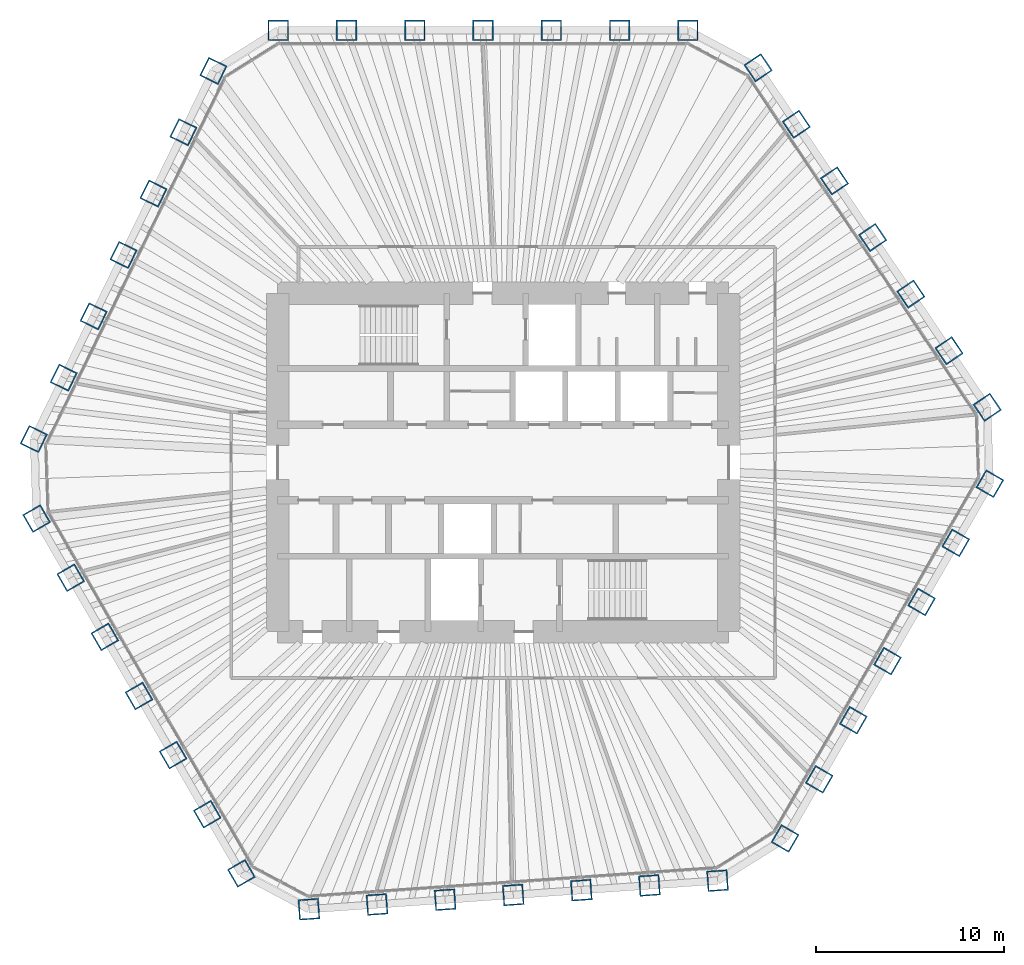
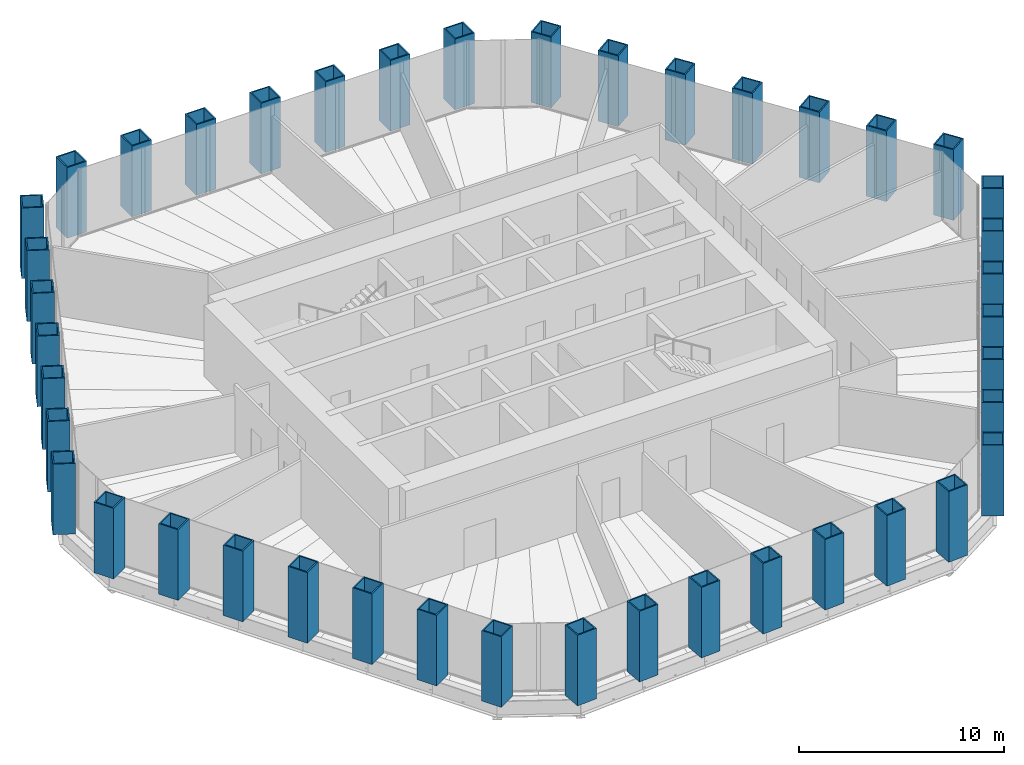
# One storey, part 1 of 13: 42 columns.
"""IFC4 building model written with IfcOpenShell, lengths in metres."""

from ifc_helpers import new_model, si_unit, direction, frame, origin, origin_2d, place, context, subcontext, project, spatial, hollow_rectangle, extrude, material, material_profile, profile_set, type_object, element, save


model = new_model("IFC4")

# Units and contexts
model_context = context("Model", 3, precision=1e-05, world=origin(), true_north=direction((0.0, 1.0)))
body_context = subcontext(model_context, "Body", "Model", "MODEL_VIEW")
ifc_project = project(units=[si_unit("LENGTHUNIT", "METRE"), si_unit("AREAUNIT", "SQUARE_METRE"), si_unit("VOLUMEUNIT", "CUBIC_METRE"), si_unit("PLANEANGLEUNIT", "RADIAN"), si_unit("MASSUNIT", "GRAM", prefix="KILO")], contexts=[model_context])

# Site, building, storey
site_placement = place(None, origin())
site = spatial("IfcSite", under=ifc_project, at=site_placement, CompositionType="ELEMENT")
building_placement = place(site_placement, origin())
building = spatial("IfcBuilding", under=site, at=building_placement, Name="Qingtian Harvest Tower", CompositionType="ELEMENT")
storey_placement = place(building_placement, frame((0.0, 0.0, 209.800048828125)))
storey = spatial("IfcBuildingStorey", under=building, at=storey_placement, Name="L45", CompositionType="ELEMENT", Elevation=209.800048828125)

# Columns
ifc_material = material(Name="Steel SM570MC", Category="steel")
ifc_material_profile = material_profile(ifc_material, hollow_rectangle(XDim=1.10009765625, YDim=1.10009765625, WallThickness=0.070068359375, at=origin_2d()), Name="BOX1100x1100x70")
ifc_profile_set = profile_set([ifc_material_profile], Name="Steel SM570MC")
column_type = type_object("IfcColumnType", Name="Tube column TC5 BOX1100x1100x70", PredefinedType="COLUMN", material=ifc_profile_set)
for number, where, z_axis, x_axis, name in (
    (1, (-11.971923828125, 23.0, 0.0), (0.0, 0.0, 1.0), (-1.0, 0.0, 0.0), "Tube column TC5 N0"),
    (2, (-8.33837890625, 23.0, 0.0), (0.0, 0.0, 1.0), (-1.0, 0.0, 0.0), "Tube column TC5 N1"),
    (3, (-4.704833984375, 23.0, 0.0), (0.0, 0.0, 1.0), (-1.0, 0.0, 0.0), "Tube column TC5 N2"),
    (4, (-1.0712890625, 23.0, 0.0), (0.0, 0.0, 1.0), (-1.0, 0.0, 0.0), "Tube column TC5 N3"),
    (5, (2.562255859375, 23.0, 0.0), (0.0, 0.0, 1.0), (-1.0, 0.0, 0.0), "Tube column TC5 N4"),
    (6, (6.19580078125, 23.0, 0.0), (0.0, 0.0, 1.0), (-1.0, 0.0, 0.0), "Tube column TC5 N5"),
    (7, (9.829345703125, 23.0, 0.0), (0.0, 0.0, 1.0), (-1.0, 0.0, 0.0), "Tube column TC5 N6"),
    (8, (13.5712890625, 21.01025390625, 0.0), (0.0, 0.0, 1.0), (-0.559192903471, 0.829037572555, 0.0), "Tube column TC5 NE0"),
    (9, (15.603271484375, 17.998046875, 0.0), (0.0, 0.0, 1.0), (-0.559192903471, 0.829037572555, 0.0), "Tube column TC5 NE1"),
    (10, (17.635009765625, 14.985595703125, 0.0), (0.0, 0.0, 1.0), (-0.559192903471, 0.829037572555, 0.0), "Tube column TC5 NE2"),
    (11, (19.6669921875, 11.97314453125, 0.0), (0.0, 0.0, 1.0), (-0.559192903471, 0.829037572555, 0.0), "Tube column TC5 NE3"),
    (12, (21.69873046875, 8.9609375, 0.0), (0.0, 0.0, 1.0), (-0.559192903471, 0.829037572555, 0.0), "Tube column TC5 NE4"),
    (13, (23.730712890625, 5.948486328125, 0.0), (0.0, 0.0, 1.0), (-0.559192903471, 0.829037572555, 0.0), "Tube column TC5 NE5"),
    (14, (25.762451171875, 2.936279296875, 0.0), (0.0, 0.0, 1.0), (-0.559192903471, 0.829037572555, 0.0), "Tube column TC5 NE6"),
    (15, (25.904541015625, -1.1318359375, 0.0), (0.0, 0.0, 1.0), (0.5, 0.866025403784, 0.0), "Tube column TC5 SE0"),
    (16, (24.087890625, -4.27880859375, 0.0), (0.0, 0.0, 1.0), (0.5, 0.866025403784, 0.0), "Tube column TC5 SE1"),
    (17, (22.27099609375, -7.425537109375, 0.0), (0.0, 0.0, 1.0), (0.5, 0.866025403784, 0.0), "Tube column TC5 SE2"),
    (18, (20.454345703125, -10.572265625, 0.0), (0.0, 0.0, 1.0), (0.5, 0.866025403784, 0.0), "Tube column TC5 SE3"),
    (19, (18.637451171875, -13.718994140625, 0.0), (0.0, 0.0, 1.0), (0.5, 0.866025403784, 0.0), "Tube column TC5 SE4"),
    (20, (16.82080078125, -16.86572265625, 0.0), (0.0, 0.0, 1.0), (0.5, 0.866025403784, 0.0), "Tube column TC5 SE5"),
    (21, (15.00390625, -20.012451171875, 0.0), (0.0, 0.0, 1.0), (0.5, 0.866025403784, 0.0), "Tube column TC5 SE6"),
    (22, (11.40966796875, -22.25830078125, 0.0), (0.0, 0.0, 1.0), (0.99756405026, 0.069756473744, 0.0), "Tube column TC5 S0"),
    (23, (7.78515625, -22.51171875, 0.0), (0.0, 0.0, 1.0), (0.99756405026, 0.069756473744, 0.0), "Tube column TC5 S1"),
    (24, (4.160400390625, -22.76513671875, 0.0), (0.0, 0.0, 1.0), (0.99756405026, 0.069756473744, 0.0), "Tube column TC5 S2"),
    (25, (0.53564453125, -23.018798828125, 0.0), (0.0, 0.0, 1.0), (0.99756405026, 0.069756473744, 0.0), "Tube column TC5 S3"),
    (26, (-3.089111328125, -23.272216796875, 0.0), (0.0, 0.0, 1.0), (0.99756405026, 0.069756473744, 0.0), "Tube column TC5 S4"),
    (27, (-6.713623046875, -23.525634765625, 0.0), (0.0, 0.0, 1.0), (0.99756405026, 0.069756473744, 0.0), "Tube column TC5 S5"),
    (28, (-10.33837890625, -23.779052734375, 0.0), (0.0, 0.0, 1.0), (0.99756405026, 0.069756473744, 0.0), "Tube column TC5 S6"),
    (29, (-13.9326171875, -21.8681640625, 0.0), (0.0, 0.0, 1.0), (0.5, -0.866025403784, 0.0), "Tube column TC5 SW0"),
    (30, (-15.749267578125, -18.72119140625, 0.0), (0.0, 0.0, 1.0), (0.5, -0.866025403784, 0.0), "Tube column TC5 SW1"),
    (31, (-17.566162109375, -15.574462890625, 0.0), (0.0, 0.0, 1.0), (0.5, -0.866025403784, 0.0), "Tube column TC5 SW2"),
    (32, (-19.3828125, -12.427734375, 0.0), (0.0, 0.0, 1.0), (0.5, -0.866025403784, 0.0), "Tube column TC5 SW3"),
    (33, (-21.19970703125, -9.281005859375, 0.0), (0.0, 0.0, 1.0), (0.5, -0.866025403784, 0.0), "Tube column TC5 SW4"),
    (34, (-23.016357421875, -6.13427734375, 0.0), (0.0, 0.0, 1.0), (0.5, -0.866025403784, 0.0), "Tube column TC5 SW5"),
    (35, (-24.833251953125, -2.987548828125, 0.0), (0.0, 0.0, 1.0), (0.5, -0.866025403784, 0.0), "Tube column TC5 SW6"),
    (36, (-24.981201171875, 1.248046875, 0.0), (0.0, 0.0, 1.0), (-0.438371146789, -0.898794046299, 0.0), "Tube column TC5 NW0"),
    (37, (-23.388427734375, 4.513916015625, 0.0), (0.0, 0.0, 1.0), (-0.438371146789, -0.898794046299, 0.0), "Tube column TC5 NW1"),
    (38, (-21.79541015625, 7.779541015625, 0.0), (0.0, 0.0, 1.0), (-0.438371146789, -0.898794046299, 0.0), "Tube column TC5 NW2"),
    (39, (-20.20263671875, 11.04541015625, 0.0), (0.0, 0.0, 1.0), (-0.438371146789, -0.898794046299, 0.0), "Tube column TC5 NW3"),
    (40, (-18.60986328125, 14.311279296875, 0.0), (0.0, 0.0, 1.0), (-0.438371146789, -0.898794046299, 0.0), "Tube column TC5 NW4"),
    (41, (-17.016845703125, 17.5771484375, 0.0), (0.0, 0.0, 1.0), (-0.438371146789, -0.898794046299, 0.0), "Tube column TC5 NW5"),
    (42, (-15.424072265625, 20.8427734375, 0.0), (0.0, 0.0, 1.0), (-0.438371146789, -0.898794046299, 0.0), "Tube column TC5 NW6"),
):
    element("IfcColumn", number, at=place(storey_placement, frame(where, z_axis=z_axis, x_axis=x_axis)), inside=storey, type_object=column_type, Name=name, PredefinedType="COLUMN", context=body_context, shape_type="SweptSolid", body=[
        extrude(hollow_rectangle(XDim=1.10009765625, YDim=1.10009765625, WallThickness=0.070068359375, at=origin_2d()), origin(), (0.0, 0.0, 1.0), 4.199951171875),
    ])

save(model, "model.ifc")
